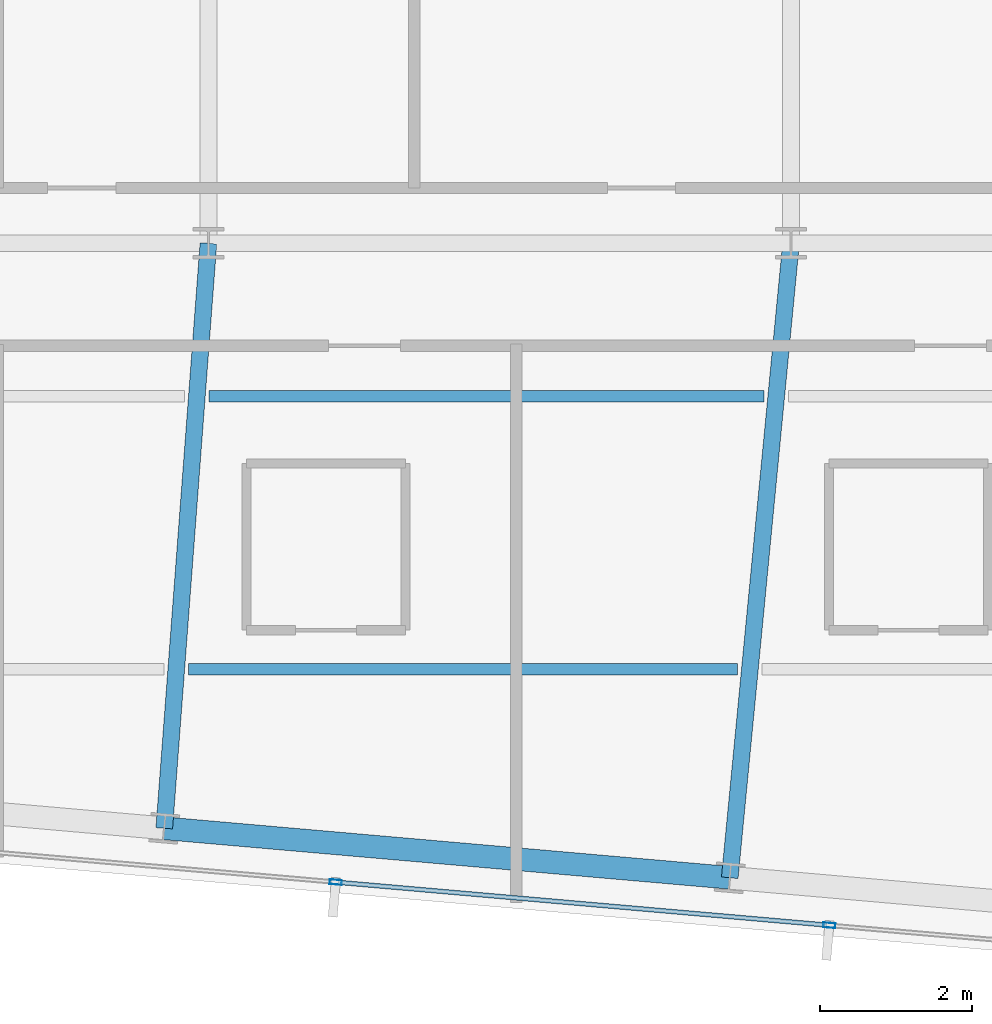
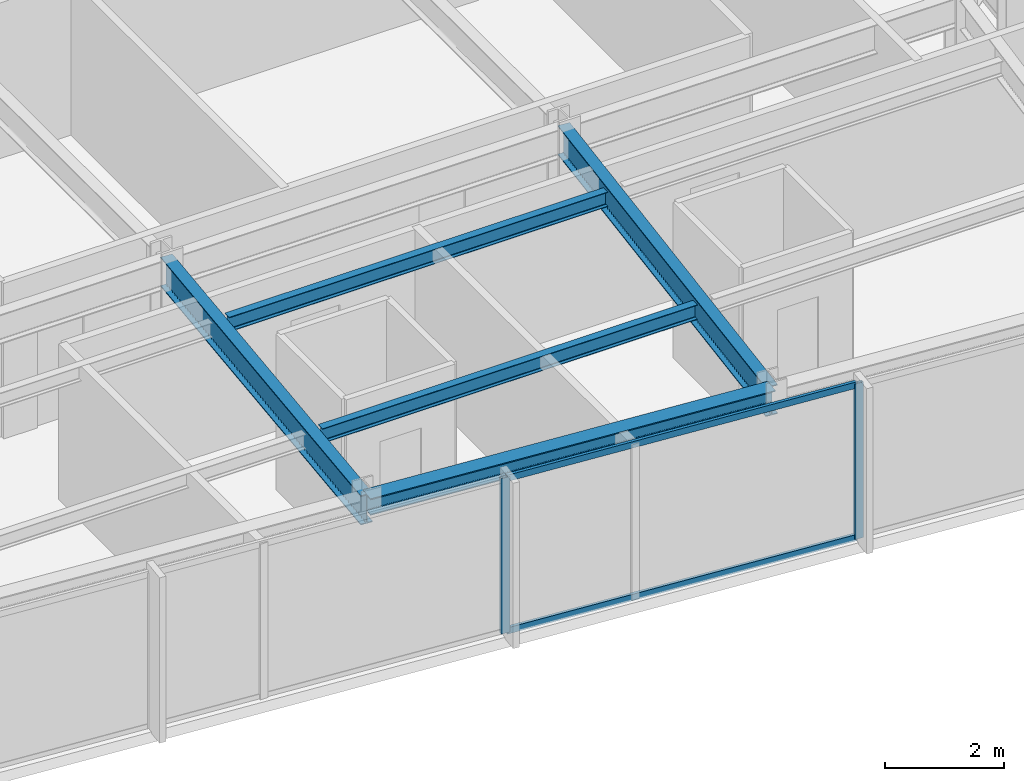
# One storey, part 13 of 33: 5 beams, 4 members, 1 element without a shape of its own.
"""IFC4 building model written with IfcOpenShell, lengths in metres."""

from ifc_helpers import new_model, si_unit, direction, frame, origin, origin_2d, place, context, subcontext, project, spatial, hollow_rectangle, i_section, extrude, material, material_profile, profile_set, type_object, element, aggregate, save


model = new_model("IFC4")

# Units and contexts
model_context = context("Model", 3, precision=1e-05, world=origin(), true_north=direction((0.0, 1.0)))
body_context = subcontext(model_context, "Body", "Model", "MODEL_VIEW")
ifc_project = project(units=[si_unit("LENGTHUNIT", "METRE"), si_unit("AREAUNIT", "SQUARE_METRE"), si_unit("VOLUMEUNIT", "CUBIC_METRE"), si_unit("PLANEANGLEUNIT", "RADIAN"), si_unit("MASSUNIT", "GRAM", prefix="KILO")], contexts=[model_context])

# Site, building, storey
site_placement = place(None, origin())
site = spatial("IfcSite", under=ifc_project, at=site_placement, CompositionType="ELEMENT")
building_placement = place(site_placement, origin())
building = spatial("IfcBuilding", under=site, at=building_placement, Name="Yelkora Congress Tower", CompositionType="ELEMENT")
storey_placement = place(building_placement, frame((0.0, 0.0, 286.300048828125)))
storey = spatial("IfcBuildingStorey", under=building, at=storey_placement, Name="L80", CompositionType="ELEMENT", Elevation=286.300048828125)

# Beams
ifc_material_1 = material(Name="Steel S355J2", Category="steel")
ifc_material_profile_1 = material_profile(ifc_material_1, i_section(OverallWidth=0.219970703125, OverallDepth=0.60009765625, WebThickness=0.011962890625, FlangeThickness=0.01904296875, FilletRadius=0.02392578125, at=origin_2d()), Name="IPE 600")
ifc_profile_set_1 = profile_set([ifc_material_profile_1], Name="Steel S355J2")
beam_type_1 = type_object("IfcBeamType", Name="BM-GIRD-IPE600", PredefinedType="BEAM", material=ifc_profile_set_1)
beam_1_placement = place(storey_placement, frame((37.8173828125, 17.489013671875, 2.8798828125), z_axis=(0.075329932006, 0.997158664077, 0.0), x_axis=(-0.997158664077, 0.075329932006, 0.0)))
element("IfcBeam", 1, at=beam_1_placement, inside=storey, type_object=beam_type_1, Name="L80 Primary Frame Girder S05", PredefinedType="BEAM", context=body_context, shape_type="SweptSolid", body=[
    extrude(i_section(OverallWidth=0.219970703125, OverallDepth=0.60009765625, WebThickness=0.011962890625, FlangeThickness=0.01904296875, FilletRadius=0.02392578125, at=origin_2d()), origin(), (0.0, 0.0, 1.0), 7.73291015625),
])
beam_2_placement = place(storey_placement, frame((45.2724609375, 16.836669921875, 2.8798828125), z_axis=(0.096119896563, 0.995369763196, 0.0), x_axis=(-0.995369763196, 0.096119896563, 0.0)))
element("IfcBeam", 2, at=beam_2_placement, inside=storey, type_object=beam_type_1, Name="L80 Primary Frame Girder S06", PredefinedType="BEAM", context=body_context, shape_type="SweptSolid", body=[
    extrude(i_section(OverallWidth=0.219970703125, OverallDepth=0.60009765625, WebThickness=0.011962890625, FlangeThickness=0.01904296875, FilletRadius=0.02392578125, at=origin_2d()), origin(), (0.0, 0.0, 1.0), 8.402099609375),
])
ifc_material_profile_2 = material_profile(ifc_material_1, i_section(OverallWidth=0.14990234375, OverallDepth=0.300048828125, WebThickness=0.007080078125, FlangeThickness=0.0107421875, FilletRadius=0.014892578125, at=origin_2d()), Name="IPE 300")
ifc_profile_set_2 = profile_set([ifc_material_profile_2], Name="Steel S355J2")
beam_type_2 = type_object("IfcBeamType", Name="BM-JOIST-IPE300", PredefinedType="JOIST", material=ifc_profile_set_2)
beam_3_placement = place(storey_placement, frame((38.1357421875, 19.58447265625, 3.030029296875), z_axis=(1.0, 0.0, 0.0), x_axis=(0.0, 1.0, 0.0)))
element("IfcBeam", 3, at=beam_3_placement, inside=storey, type_object=beam_type_2, Name="L80 Composite Floor Joist 3", PredefinedType="JOIST", context=body_context, shape_type="SweptSolid", body=[
    extrude(i_section(OverallWidth=0.14990234375, OverallDepth=0.300048828125, WebThickness=0.007080078125, FlangeThickness=0.0107421875, FilletRadius=0.014892578125, at=origin_2d()), origin(), (0.0, 0.0, 1.0), 7.241943359375),
])
beam_4_placement = place(storey_placement, frame((38.40771484375, 23.1845703125, 3.030029296875), z_axis=(1.0, 0.0, 0.0), x_axis=(0.0, 1.0, 0.0)))
element("IfcBeam", 4, at=beam_4_placement, inside=storey, type_object=beam_type_2, Name="L80 Composite Floor Joist 7", PredefinedType="JOIST", context=body_context, shape_type="SweptSolid", body=[
    extrude(i_section(OverallWidth=0.14990234375, OverallDepth=0.300048828125, WebThickness=0.007080078125, FlangeThickness=0.0107421875, FilletRadius=0.014892578125, at=origin_2d()), origin(), (0.0, 0.0, 1.0), 7.317626953125),
])
ifc_material_profile_3 = material_profile(ifc_material_1, i_section(OverallWidth=0.300048828125, OverallDepth=0.340087890625, WebThickness=0.011962890625, FlangeThickness=0.021484375, FilletRadius=0.027099609375, at=origin_2d()), Name="HEB 340")
ifc_profile_set_3 = profile_set([ifc_material_profile_3], Name="Steel S355J2")
beam_type_3 = type_object("IfcBeamType", Name="BM-SPAN-HEB340", PredefinedType="SPANDREL", material=ifc_profile_set_3)
beam_5_placement = place(storey_placement, frame((37.8173828125, 17.489013671875, 3.010009765625), z_axis=(0.996193434204, -0.08717018785, 0.0), x_axis=(0.08717018785, 0.996193434204, 0.0)))
element("IfcBeam", 5, at=beam_5_placement, inside=storey, type_object=beam_type_3, Name="L80 Perimeter Beam 5", PredefinedType="SPANDREL", context=body_context, shape_type="SweptSolid", body=[
    extrude(i_section(OverallWidth=0.300048828125, OverallDepth=0.340087890625, WebThickness=0.011962890625, FlangeThickness=0.021484375, FilletRadius=0.027099609375, at=origin_2d()), origin(), (0.0, 0.0, 1.0), 7.483642578125),
])

# Curtain wall, members
ifc_material_2 = material(Name="Anodised aluminium and insulated glass", Category="aluminium")
curtain_wall_type = type_object("IfcCurtainWallType", Name="CW-SYS-B5", PredefinedType="NOTDEFINED", material=ifc_material_2)
curtain_wall_placement = place(storey_placement, origin())
curtain_wall = element("IfcCurtainWall", 6, at=curtain_wall_placement, inside=storey, type_object=curtain_wall_type, Name="L80 Unitised Curtain Wall 20", PredefinedType="NOTDEFINED")
ifc_material_3 = material(Name="Anodised aluminium 6063-T6", Category="aluminium")
ifc_material_profile_4 = material_profile(ifc_material_3, hollow_rectangle(XDim=0.06494140625, YDim=0.159912109375, WallThickness=0.00390625, at=origin_2d()), Name="ALU 65x160x4")
ifc_profile_set_4 = profile_set([ifc_material_profile_4], Name="Anodised aluminium 6063-T6")
member_type_1 = type_object("IfcMemberType", Name="MEM-ML-B5", PredefinedType="MULLION", material=ifc_profile_set_4)
member_1_placement = place(storey_placement, frame((46.58447265625, 16.2099609375, 0.0), z_axis=(0.0, 0.0, 1.0), x_axis=(-0.087156829793, -0.996194602987, 0.0)))
member_1 = element("IfcMember", 7, at=member_1_placement, type_object=member_type_1, Name="CW-B5 mullion 2", PredefinedType="MULLION", context=body_context, shape_type="SweptSolid", body=[
    extrude(hollow_rectangle(XDim=0.06494140625, YDim=0.159912109375, WallThickness=0.00390625, at=origin_2d()), origin(), (0.0, 0.0, 1.0), 3.179931640625),
])
member_2_placement = place(storey_placement, frame((40.077880859375, 16.779296875, 0.0), z_axis=(0.0, 0.0, 1.0), x_axis=(-0.087156829793, -0.996194602987, 0.0)))
member_2 = element("IfcMember", 8, at=member_2_placement, type_object=member_type_1, Name="CW-B5 mullion 3", PredefinedType="MULLION", context=body_context, shape_type="SweptSolid", body=[
    extrude(hollow_rectangle(XDim=0.06494140625, YDim=0.159912109375, WallThickness=0.00390625, at=origin_2d()), origin(), (0.0, 0.0, 1.0), 3.179931640625),
])
ifc_material_profile_5 = material_profile(ifc_material_3, hollow_rectangle(XDim=0.06005859375, YDim=0.1298828125, WallThickness=0.00390625, at=origin_2d()), Name="ALU 60x130x4")
ifc_profile_set_5 = profile_set([ifc_material_profile_5], Name="Anodised aluminium 6063-T6")
member_type_2 = type_object("IfcMemberType", Name="MEM-TR-B5", PredefinedType="USERDEFINED", material=ifc_profile_set_5)
member_3_placement = place(storey_placement, frame((46.55224609375, 16.212890625, 0.030029296875), z_axis=(-0.996196257862, 0.087137912649, 0.0), x_axis=(-0.087137912649, -0.996196257862, 0.0)))
member_3 = element("IfcMember", 9, at=member_3_placement, type_object=member_type_2, Name="CW-B5 transom 2.1", ObjectType="TRANSOM", PredefinedType="USERDEFINED", context=body_context, shape_type="SweptSolid", body=[
    extrude(hollow_rectangle(XDim=0.06005859375, YDim=0.1298828125, WallThickness=0.00390625, at=origin_2d()), origin(), (0.0, 0.0, 1.0), 6.466552734375),
])
member_4_placement = place(storey_placement, frame((46.55224609375, 16.212890625, 3.14990234375), z_axis=(-0.996196257862, 0.087137912649, 0.0), x_axis=(-0.087137912649, -0.996196257862, 0.0)))
member_4 = element("IfcMember", 10, at=member_4_placement, type_object=member_type_2, Name="CW-B5 transom 2.2", ObjectType="TRANSOM", PredefinedType="USERDEFINED", context=body_context, shape_type="SweptSolid", body=[
    extrude(hollow_rectangle(XDim=0.06005859375, YDim=0.1298828125, WallThickness=0.00390625, at=origin_2d()), origin(), (0.0, 0.0, 1.0), 6.466552734375),
])
aggregate(curtain_wall, [member_1, member_2, member_3, member_4])

save(model, "model.ifc")
